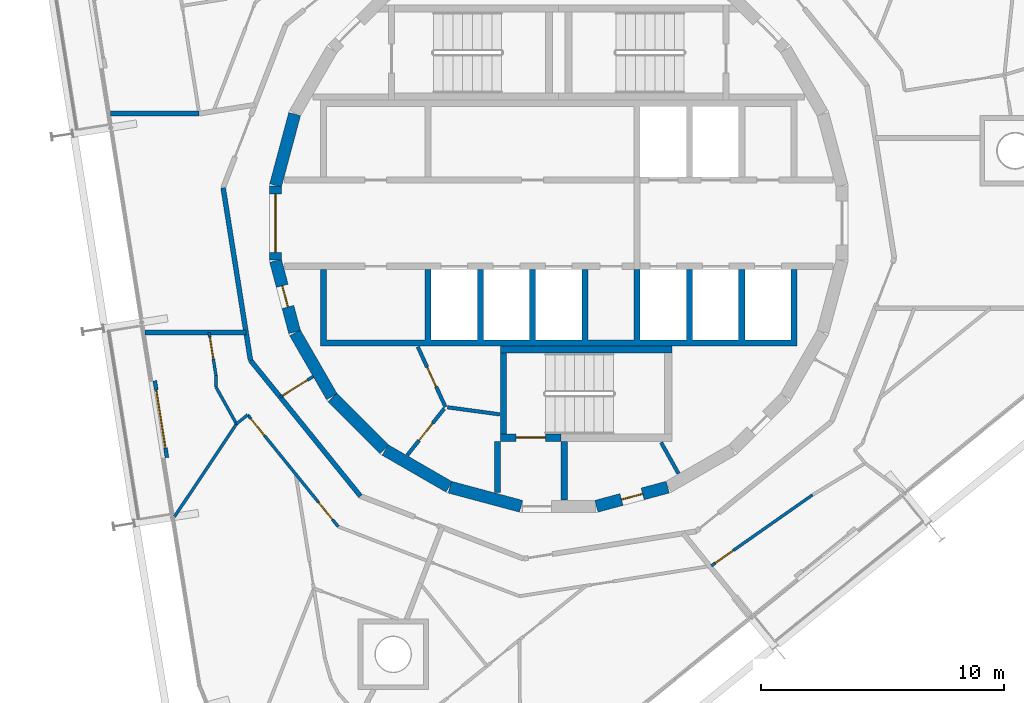
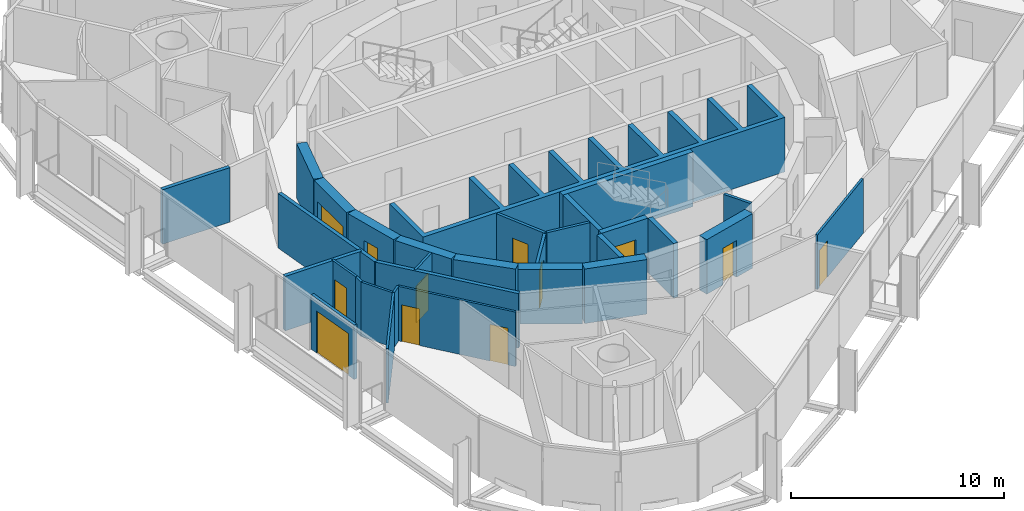
# One storey, part 12 of 18: 31 walls, 12 doors, 12 openings.
"""IFC4 building model written with IfcOpenShell, lengths in metres."""

import ifcopenshell
import ifcopenshell.guid

model = None  # the IFC model being written
_history = None  # IfcOwnerHistory: only IFC2X3 demands one
_inside = {}  # id of a spatial element -> (the spatial element, [elements in it])
_under = {}  # id of a project, library or spatial element -> (it, [spatial elements below it])
_declared = {}  # id of a project -> (the project, [libraries it declares])
_typed = {}  # id of a type object -> (the type object, [elements of that type])
_made_of = {}  # id of a material, layer set ... -> (it, [elements and type objects made of it])


def new_model(schema):
    """Start an empty IFC model of exactly this schema.

    Asked for "IFC4X3", IfcOpenShell would pick the latest addendum, in which some entities
    have other attributes; the version numbers below select the first issue.
    IFC2X3 requires an IfcOwnerHistory on every rooted entity: one is made here for all.
    """
    global model, _history
    if schema == "IFC4X3":
        model = ifcopenshell.file(schema_version=(4, 3, 0, 0))
    else:
        model = ifcopenshell.file(schema=schema)
    _inside.clear()
    _under.clear()
    _declared.clear()
    _typed.clear()
    _made_of.clear()
    _history = None
    if model.schema == "IFC2X3":
        org = make("IfcOrganization", Name="unknown")
        user = make(
            "IfcPersonAndOrganization",
            ThePerson=make("IfcPerson", FamilyName="unknown"),
            TheOrganization=org,
        )
        app = make(
            "IfcApplication",
            ApplicationDeveloper=org,
            Version="unknown",
            ApplicationFullName="unknown",
            ApplicationIdentifier="unknown",
        )
        _history = make(
            "IfcOwnerHistory",
            OwningUser=user,
            OwningApplication=app,
            ChangeAction="ADDED",
            CreationDate=0,
        )
    return model


def make(cls, **values):
    """One entity of the class cls with the attributes given. An attribute that is None is left unset."""
    return model.create_entity(
        cls, **{name: value for name, value in values.items() if value is not None}
    )


def rooted(cls, **values):
    """An entity with a GlobalId (a new one), such as an element, a storey or a relation."""
    return make(cls, GlobalId=ifcopenshell.guid.new(), OwnerHistory=_history, **values)


def si_unit(unit_type, name, prefix=None):
    """IfcSIUnit, for example si_unit("LENGTHUNIT", "METRE", prefix="MILLI")."""
    return make("IfcSIUnit", UnitType=unit_type, Prefix=prefix, Name=name)


def assignment(units):
    """IfcUnitAssignment: the units of a project."""
    return None if units is None else make("IfcUnitAssignment", Units=units)


def point(xyz):
    """IfcCartesianPoint."""
    return None if xyz is None else make("IfcCartesianPoint", Coordinates=xyz)


def direction(xyz):
    """IfcDirection."""
    return None if xyz is None else make("IfcDirection", DirectionRatios=xyz)


def frame(location, z_axis=None, x_axis=None):
    """IfcAxis2Placement3D, a coordinate frame: its origin and axes. An axis left out is left unset."""
    return make(
        "IfcAxis2Placement3D",
        Location=point(location),
        Axis=direction(z_axis),
        RefDirection=direction(x_axis),
    )


def frame_2d(location, x_axis=None):
    """IfcAxis2Placement2D, a coordinate frame in the plane: its origin and x axis."""
    return make(
        "IfcAxis2Placement2D", Location=point(location), RefDirection=direction(x_axis)
    )


def origin():
    """The frame at (0, 0, 0) with its axes left unset."""
    return frame((0.0, 0.0, 0.0))


def place(relative_to, where):
    """IfcLocalPlacement: puts the frame where relative to a parent placement (None: the world)."""
    return make(
        "IfcLocalPlacement", PlacementRelTo=relative_to, RelativePlacement=where
    )


def context(
    kind, dimensions, precision=None, world=None, true_north=None, identifier=None
):
    """IfcGeometricRepresentationContext, for example the 3D "Model" context."""
    return make(
        "IfcGeometricRepresentationContext",
        ContextIdentifier=identifier,
        ContextType=kind,
        CoordinateSpaceDimension=dimensions,
        Precision=precision,
        WorldCoordinateSystem=world,
        TrueNorth=true_north,
    )


def subcontext(parent, identifier, kind, view, scale=None):
    """IfcGeometricRepresentationSubContext, for example "Body" below "Model"."""
    return make(
        "IfcGeometricRepresentationSubContext",
        ContextIdentifier=identifier,
        ContextType=kind,
        ParentContext=parent,
        TargetScale=scale,
        TargetView=view,
    )


def project(units=None, contexts=None):
    """IfcProject with its units and contexts."""
    return rooted(
        "IfcProject",
        Name="project",
        RepresentationContexts=contexts,
        UnitsInContext=assignment(units),
    )


def spatial(cls, under=None, at=None, **own):
    """A site, building, storey or space (cls), placed at a placement, below another one or the project."""
    s = rooted(cls, ObjectPlacement=at, **own)
    if under is not None:
        _under.setdefault(under.id(), (under, []))[1].append(s)
    return s


def polyline(points):
    """IfcPolyline through the points."""
    return make("IfcPolyline", Points=[point(p) for p in points])


def profile(cls, at=None, kind="AREA", **sizes):
    """A parametric profile (cls). Its sizes go by their IFC names, for example OverallWidth=200.0."""
    return make(cls, ProfileType=kind, Position=at, **sizes)


def rectangle(**sizes):
    """IfcRectangleProfileDef."""
    return profile("IfcRectangleProfileDef", **sizes)


def outline(outer, holes=None, kind="AREA"):
    """IfcArbitraryClosedProfileDef: a profile drawn as a closed curve; with holes, ...WithVoids."""
    if holes is None:
        return make("IfcArbitraryClosedProfileDef", ProfileType=kind, OuterCurve=outer)
    return make(
        "IfcArbitraryProfileDefWithVoids",
        ProfileType=kind,
        OuterCurve=outer,
        InnerCurves=holes,
    )


def extrude(swept, where, along, depth):
    """IfcExtrudedAreaSolid: the profile swept, set in the frame where, extruded along a direction by depth."""
    return make(
        "IfcExtrudedAreaSolid",
        SweptArea=swept,
        Position=where,
        ExtrudedDirection=direction(along),
        Depth=depth,
    )


def shape(context_of_items, identifier, shape_type, items):
    """IfcShapeRepresentation: the items that make up one representation, for example the "Body"."""
    return make(
        "IfcShapeRepresentation",
        ContextOfItems=context_of_items,
        RepresentationIdentifier=identifier,
        RepresentationType=shape_type,
        Items=items,
    )


def material(Name=None, Category=None):
    """IfcMaterial."""
    return make("IfcMaterial", Name=Name, Category=Category)


def layer(
    of_material, thickness, ventilated=None, Name=None, Category=None, Priority=None
):
    """IfcMaterialLayer: one layer of a wall or slab, of a material (None: an air gap)."""
    return make(
        "IfcMaterialLayer",
        Material=of_material,
        LayerThickness=thickness,
        IsVentilated=ventilated,
        Name=Name,
        Category=Category,
        Priority=Priority,
    )


def layer_set(layers, Name=None):
    """IfcMaterialLayerSet."""
    return make("IfcMaterialLayerSet", MaterialLayers=layers, LayerSetName=Name)


def made_of(thing, what):
    """Note that an element or type object is made of a material, layer set ...; save() writes the relation."""
    if what is not None:
        _made_of.setdefault(what.id(), (what, []))[1].append(thing)
    return thing


def type_object(cls, material=None, **own):
    """A type object (cls), such as IfcWallType, which elements share."""
    return made_of(rooted(cls, **own), material)


def element(
    cls,
    number,
    at=None,
    inside=None,
    cuts=None,
    type_object=None,
    material=None,
    context=None,
    identifier="Body",
    shape_type=None,
    held_by="IfcProductDefinitionShape",
    body=None,
    shapes=None,
    **own,
):
    """One element of the class cls, such as IfcWall. Its Tag is "e" and its number.

    at: its placement. inside: the storey or other place that contains it. cuts: it is an
    opening in that element (IfcRelVoidsElement). A single representation is given by context,
    identifier, shape_type and body (its items); several are given by shapes. held_by: the class
    of the entity that holds the representations. save() writes the other relations.
    """
    e = rooted(cls, Tag="e%d" % number, ObjectPlacement=at, **own)
    if body is not None:
        shapes = [shape(context, identifier, shape_type, body)]
    if shapes is not None:
        e.Representation = make(held_by, Representations=shapes)
    if inside is not None:
        _inside.setdefault(inside.id(), (inside, []))[1].append(e)
    if cuts is not None:
        rooted(
            "IfcRelVoidsElement", RelatingBuildingElement=cuts, RelatedOpeningElement=e
        )
    if type_object is not None:
        _typed.setdefault(type_object.id(), (type_object, []))[1].append(e)
    return made_of(e, material)


def fill(opening, filler):
    """IfcRelFillsElement: the door or window that sits in an opening."""
    return rooted(
        "IfcRelFillsElement",
        RelatingOpeningElement=opening,
        RelatedBuildingElement=filler,
    )


def aggregate(whole, parts):
    """IfcRelAggregates: a whole, such as a stair, and the parts it consists of."""
    return rooted("IfcRelAggregates", RelatingObject=whole, RelatedObjects=parts)


def save(model, path):
    """Write the relations noted so far, then the file.

    IfcRelAggregates (storeys below a building ...), IfcRelContainedInSpatialStructure (elements
    in a storey), IfcRelDefinesByType, IfcRelAssociatesMaterial and IfcRelDeclares: one each for
    every whole, place, type object, material and project.
    """
    for whole, parts in _under.values():
        aggregate(whole, parts)
    for where, things in _inside.values():
        rooted(
            "IfcRelContainedInSpatialStructure",
            RelatedElements=things,
            RelatingStructure=where,
        )
    for kind, things in _typed.values():
        rooted("IfcRelDefinesByType", RelatedObjects=things, RelatingType=kind)
    for what, things in _made_of.values():
        rooted("IfcRelAssociatesMaterial", RelatedObjects=things, RelatingMaterial=what)
    for by, libraries in _declared.values():
        rooted("IfcRelDeclares", RelatingContext=by, RelatedDefinitions=libraries)
    model.write(path)


model = new_model("IFC4")

# Units and contexts
model_context = context("Model", 3, precision=1e-05, world=origin(), true_north=direction((0.0, 1.0)))
body_context = subcontext(model_context, "Body", "Model", "MODEL_VIEW")
ifc_project = project(units=[si_unit("LENGTHUNIT", "METRE"), si_unit("AREAUNIT", "SQUARE_METRE"), si_unit("VOLUMEUNIT", "CUBIC_METRE"), si_unit("PLANEANGLEUNIT", "RADIAN"), si_unit("MASSUNIT", "GRAM", prefix="KILO")], contexts=[model_context])

# Site, building, storey
site_placement = place(None, origin())
site = spatial("IfcSite", under=ifc_project, at=site_placement, CompositionType="ELEMENT")
building_placement = place(site_placement, origin())
building = spatial("IfcBuilding", under=site, at=building_placement, Name="Spindle Arch Residences", CompositionType="ELEMENT")
storey_placement = place(building_placement, frame((0.0, 0.0, 273.89990234375)))
storey = spatial("IfcBuildingStorey", under=building, at=storey_placement, Name="L70", CompositionType="ELEMENT", Elevation=273.89990234375)

# Wall, opening, door
ifc_material_1 = material(Name="Concrete C50/60", Category="concrete")
ifc_layer_1 = layer(ifc_material_1, 0.5)
ifc_layer_set_1 = layer_set([ifc_layer_1], Name="Core outline wall 500")
wall_type_1 = type_object("IfcWallType", Name="Core outline wall 500", PredefinedType="SHEAR", material=ifc_layer_set_1)
wall_1_placement = place(storey_placement, frame((1.5498046875, -11.642822265625, 0.0), z_axis=(0.0, 0.0, 1.0), x_axis=(0.965948410781, 0.258734743916, 0.0)))
wall_1 = element("IfcWall", 1, at=wall_1_placement, inside=storey, type_object=wall_type_1, Name="Core outline wall 1", PredefinedType="SHEAR", context=body_context, shape_type="SweptSolid", body=[
    extrude(rectangle(XDim=3.03271484375, YDim=0.5, at=frame_2d((1.516357421875, 0.0))), origin(), (0.0, 0.0, 1.0), 3.1201171875),
])
opening_1_placement = place(wall_1_placement, frame((1.06640625, 0.0, 0.0)))
opening_1 = element("IfcOpeningElement", 2, at=opening_1_placement, cuts=wall_1, Name="Opening R7B1-WD09", PredefinedType="OPENING", context=body_context, shape_type="SweptSolid", body=[
    extrude(rectangle(XDim=0.89990234375, YDim=2.10009765625, at=frame_2d((0.449951171875, 1.050048828125))), frame((0.0, 0.260009765625, 0.0), z_axis=(0.0, -1.0, 0.0), x_axis=(1.0, 0.0, 0.0)), (0.0, 0.0, 1.0), 0.52001953125),
])
ifc_material_2 = material(Name="Steel, fire-resisting door", Category="steel")
door_type_1 = type_object("IfcDoorType", Name="Service room door 900x2100", OperationType="SINGLE_SWING_LEFT", PredefinedType="DOOR", material=ifc_material_2)
door_1_placement = place(opening_1_placement, origin())
door_1 = element("IfcDoor", 3, at=door_1_placement, inside=storey, type_object=door_type_1, Name="Service room door R7B1-WD09", OperationType="SINGLE_SWING_LEFT", OverallHeight=2.10009765625, OverallWidth=0.89990234375, PredefinedType="DOOR", context=body_context, shape_type="SweptSolid", body=[
    extrude(rectangle(XDim=0.89990234375, YDim=2.10009765625, at=frame_2d((0.449951171875, 1.050048828125))), frame((0.0, 0.02490234375, 0.0), z_axis=(0.0, -1.0, 0.0), x_axis=(1.0, 0.0, 0.0)), (0.0, 0.0, 1.0), 0.050048828125),
])
fill(opening_1, door_1)

# Wall
wall_2_placement = place(storey_placement, frame((-10.858154296875, 4.479248046875, 0.0), z_axis=(0.0, 0.0, 1.0), x_axis=(-0.258734743916, -0.965948410781, 0.0)))
element("IfcWall", 4, at=wall_2_placement, inside=storey, type_object=wall_type_1, Name="Core outline wall 17", PredefinedType="SHEAR", context=body_context, shape_type="SweptSolid", body=[
    extrude(rectangle(XDim=3.03271484375, YDim=0.5, at=frame_2d((1.516357421875, 0.0))), origin(), (0.0, 0.0, 1.0), 3.1201171875),
])

# Wall, opening, door
wall_3_placement = place(storey_placement, frame((-11.647216796875, 1.516357421875, 0.0), z_axis=(0.0, 0.0, 1.0), x_axis=(0.0, -1.0, 0.0)))
wall_3 = element("IfcWall", 5, at=wall_3_placement, inside=storey, type_object=wall_type_1, Name="Core outline wall 18", PredefinedType="SHEAR", context=body_context, shape_type="SweptSolid", body=[
    extrude(rectangle(XDim=3.03271484375, YDim=0.5, at=frame_2d((1.516357421875, 0.0))), origin(), (0.0, 0.0, 1.0), 3.1201171875),
])
opening_2_placement = place(wall_3_placement, frame((0.31640625, 0.0, 0.0)))
opening_2 = element("IfcOpeningElement", 6, at=opening_2_placement, cuts=wall_3, Name="Opening R7B1-LE01", PredefinedType="OPENING", context=body_context, shape_type="SweptSolid", body=[
    extrude(rectangle(XDim=2.39990234375, YDim=2.10009765625, at=frame_2d((1.199951171875, 1.050048828125))), frame((0.0, 0.260009765625, 0.0), z_axis=(0.0, -1.0, 0.0), x_axis=(1.0, 0.0, 0.0)), (0.0, 0.0, 1.0), 0.52001953125),
])
ifc_material_3 = material(Name="Steel, fire-resisting door", Category="steel")
door_type_2 = type_object("IfcDoorType", Name="Lift lobby entrance door 2400x2100", OperationType="DOUBLE_DOOR_SINGLE_SWING", PredefinedType="DOOR", material=ifc_material_3)
door_2_placement = place(opening_2_placement, origin())
door_2 = element("IfcDoor", 7, at=door_2_placement, inside=storey, type_object=door_type_2, Name="Lift lobby entrance door R7B1-LE01", OperationType="DOUBLE_DOOR_SINGLE_SWING", OverallHeight=2.10009765625, OverallWidth=2.39990234375, PredefinedType="DOOR", context=body_context, shape_type="SweptSolid", body=[
    extrude(rectangle(XDim=2.39990234375, YDim=2.10009765625, at=frame_2d((1.199951171875, 1.050048828125))), frame((0.0, 0.02490234375, 0.0), z_axis=(0.0, -1.0, 0.0), x_axis=(1.0, 0.0, 0.0)), (0.0, 0.0, 1.0), 0.050048828125),
])
fill(opening_2, door_2)

wall_4_placement = place(storey_placement, frame((-11.642822265625, -1.5498046875, 0.0), z_axis=(0.0, 0.0, 1.0), x_axis=(0.258734743916, -0.965948410781, 0.0)))
wall_4 = element("IfcWall", 8, at=wall_4_placement, inside=storey, type_object=wall_type_1, Name="Core outline wall 19", PredefinedType="SHEAR", context=body_context, shape_type="SweptSolid", body=[
    extrude(rectangle(XDim=3.03271484375, YDim=0.5, at=frame_2d((1.516357421875, 0.0))), origin(), (0.0, 0.0, 1.0), 3.1201171875),
])
opening_3_placement = place(wall_4_placement, frame((1.06640625, 0.0, 0.0)))
opening_3 = element("IfcOpeningElement", 9, at=opening_3_placement, cuts=wall_4, Name="Opening R7B1-WD10", PredefinedType="OPENING", context=body_context, shape_type="SweptSolid", body=[
    extrude(rectangle(XDim=0.89990234375, YDim=2.10009765625, at=frame_2d((0.449951171875, 1.050048828125))), frame((0.0, 0.260009765625, 0.0), z_axis=(0.0, -1.0, 0.0), x_axis=(1.0, 0.0, 0.0)), (0.0, 0.0, 1.0), 0.52001953125),
])
door_3_placement = place(opening_3_placement, origin())
door_3 = element("IfcDoor", 10, at=door_3_placement, inside=storey, type_object=door_type_1, Name="Service room door R7B1-WD10", OperationType="SINGLE_SWING_RIGHT", OverallHeight=2.10009765625, OverallWidth=0.89990234375, PredefinedType="DOOR", context=body_context, shape_type="SweptSolid", body=[
    extrude(rectangle(XDim=0.89990234375, YDim=2.10009765625, at=frame_2d((0.449951171875, 1.050048828125))), frame((0.0, 0.02490234375, 0.0), z_axis=(0.0, -1.0, 0.0), x_axis=(1.0, 0.0, 0.0)), (0.0, 0.0, 1.0), 0.050048828125),
])
fill(opening_3, door_3)

# Walls
wall_5_placement = place(storey_placement, frame((-10.84521484375, -4.510498046875, 0.0), z_axis=(0.0, 0.0, 1.0), x_axis=(0.500087131594, -0.865975092491, 0.0)))
element("IfcWall", 11, at=wall_5_placement, inside=storey, type_object=wall_type_1, Name="Core outline wall 20", PredefinedType="SHEAR", context=body_context, shape_type="SweptSolid", body=[
    extrude(rectangle(XDim=3.03271484375, YDim=0.5, at=frame_2d((1.516357421875, 0.0))), origin(), (0.0, 0.0, 1.0), 3.1201171875),
])
wall_6_placement = place(storey_placement, frame((-9.30810546875, -7.163818359375, 0.0), z_axis=(0.0, 0.0, 1.0), x_axis=(0.707106781187, -0.707106781187, 0.0)))
element("IfcWall", 12, at=wall_6_placement, inside=storey, type_object=wall_type_1, Name="Core outline wall 21", PredefinedType="SHEAR", context=body_context, shape_type="SweptSolid", body=[
    extrude(rectangle(XDim=3.032470703125, YDim=0.5, at=frame_2d((1.51611328125, 0.0))), origin(), (0.0, 0.0, 1.0), 3.1201171875),
])
for number, where, z_axis, x_axis, name in (
    (13, (-7.13671875, -9.32861328125, 0.0), (0.0, 0.0, 1.0), (0.865975092491, -0.500087131594, 0.0), "Core outline wall 22"),
    (14, (-4.479248046875, -10.858154296875, 0.0), (0.0, 0.0, 1.0), (0.965948410781, -0.258734743916, 0.0), "Core outline wall 23"),
):
    element("IfcWall", number, at=place(storey_placement, frame(where, z_axis=z_axis, x_axis=x_axis)), inside=storey, type_object=wall_type_1, Name=name, PredefinedType="SHEAR", context=body_context, shape_type="SweptSolid", body=[
        extrude(rectangle(XDim=3.03271484375, YDim=0.5, at=frame_2d((1.516357421875, 0.0))), origin(), (0.0, 0.0, 1.0), 3.1201171875),
    ])

# Wall, opening, door
ifc_material_4 = material(Name="Plasterboard on steel studs", Category="steel")
ifc_layer_2 = layer(ifc_material_4, 0.1201171875)
ifc_layer_set_2 = layer_set([ifc_layer_2], Name="Corridor division wall 120")
wall_type_2 = type_object("IfcWallType", Name="Corridor division wall 120", PredefinedType="PARTITIONING", material=ifc_layer_set_2)
wall_7_placement = place(storey_placement, frame((-11.44921875, -7.154296875, 0.0), z_axis=(0.0, 0.0, 1.0), x_axis=(0.848067047543, 0.529888934468, 0.0)))
wall_7 = element("IfcWall", 15, at=wall_7_placement, inside=storey, type_object=wall_type_2, Name="Corridor division wall R7B1-W003", PredefinedType="PARTITIONING", context=body_context, shape_type="SweptSolid", body=[
    extrude(rectangle(XDim=1.595947265625, YDim=0.1201171875, at=frame_2d((0.7978515625, 0.0))), origin(), (0.0, 0.0, 1.0), 3.1201171875),
])
opening_4_placement = place(wall_7_placement, frame((0.1201171875, 0.0, 0.0)))
opening_4 = element("IfcOpeningElement", 16, at=opening_4_placement, cuts=wall_7, Name="Opening R7B1-CD03", PredefinedType="OPENING", context=body_context, shape_type="SweptSolid", body=[
    extrude(rectangle(XDim=1.199951171875, YDim=2.10009765625, at=frame_2d((0.60009765625, 1.050048828125))), frame((0.0, 0.070068359375, 0.0), z_axis=(0.0, -1.0, 0.0), x_axis=(1.0, 0.0, 0.0)), (0.0, 0.0, 1.0), 0.14013671875),
])
ifc_material_5 = material(Name="Steel, fire-resisting door", Category="steel")
door_type_3 = type_object("IfcDoorType", Name="Corridor division door 1200x2100", OperationType="NOTDEFINED", PredefinedType="DOOR", material=ifc_material_5)
door_4_placement = place(opening_4_placement, origin())
door_4 = element("IfcDoor", 17, at=door_4_placement, inside=storey, type_object=door_type_3, Name="Corridor division door R7B1-CD03", OperationType="DOUBLE_DOOR_SINGLE_SWING", OverallHeight=2.10009765625, OverallWidth=1.199951171875, PredefinedType="DOOR", context=body_context, shape_type="SweptSolid", body=[
    extrude(rectangle(XDim=1.199951171875, YDim=2.10009765625, at=frame_2d((0.60009765625, 1.050048828125))), frame((0.0, 0.02490234375, 0.0), z_axis=(0.0, -1.0, 0.0), x_axis=(1.0, 0.0, 0.0)), (0.0, 0.0, 1.0), 0.050048828125),
])
fill(opening_4, door_4)

# Wall
ifc_material_6 = material(Name="Calcium silicate block, plastered")
ifc_layer_3 = layer(ifc_material_6, 0.199951171875)
ifc_layer_set_3 = layer_set([ifc_layer_3], Name="Corridor wall 200")
wall_type_3 = type_object("IfcWallType", Name="Corridor wall 200", PredefinedType="STANDARD", material=ifc_layer_set_3)
wall_8_placement = place(storey_placement, frame((-12.67333984375, -5.642578125, 0.0), z_axis=(0.0, 0.0, 1.0), x_axis=(0.629302871585, -0.777160148113, 0.0)))
element("IfcWall", 18, at=wall_8_placement, inside=storey, type_object=wall_type_3, Name="Corridor wall R7B1-W012", PredefinedType="STANDARD", context=body_context, shape_type="SweptSolid", body=[
    extrude(rectangle(XDim=7.180908203125, YDim=0.199951171875, at=frame_2d((3.59033203125, 0.0))), origin(), (0.0, 0.0, 1.0), 3.1201171875),
])

# Wall, opening, door
ifc_material_7 = material(Name="Plasterboard on steel studs", Category="steel")
ifc_layer_4 = layer(ifc_material_7, 0.1201171875)
ifc_layer_set_4 = layer_set([ifc_layer_4], Name="Flat partition 120")
wall_type_4 = type_object("IfcWallType", Name="Flat partition 120", PredefinedType="PARTITIONING", material=ifc_layer_set_4)
wall_9_placement = place(storey_placement, frame((-14.373046875, -4.5, 0.0), z_axis=(0.0, 0.0, 1.0), x_axis=(0.156437152886, -0.987687914878, 0.0)))
wall_9 = element("IfcWall", 19, at=wall_9_placement, inside=storey, type_object=wall_type_4, Name="Flat partition R7B1-W068", PredefinedType="PARTITIONING", context=body_context, shape_type="SweptSolid", body=[
    extrude(rectangle(XDim=1.79638671875, YDim=0.1201171875, at=frame_2d((0.898193359375, 0.0))), origin(), (0.0, 0.0, 1.0), 3.1201171875),
])
opening_5_placement = place(wall_9_placement, frame((0.199951171875, 0.0, 0.0)))
opening_5 = element("IfcOpeningElement", 20, at=opening_5_placement, cuts=wall_9, Name="Opening R7B1-ID15", PredefinedType="OPENING", context=body_context, shape_type="SweptSolid", body=[
    extrude(rectangle(XDim=0.89990234375, YDim=2.10009765625, at=frame_2d((0.449951171875, 1.050048828125))), frame((0.0, 0.070068359375, 0.0), z_axis=(0.0, -1.0, 0.0), x_axis=(1.0, 0.0, 0.0)), (0.0, 0.0, 1.0), 0.14013671875),
])
ifc_material_8 = material(Name="Timber door set", Category="wood")
door_type_4 = type_object("IfcDoorType", Name="Room door 900x2100", OperationType="NOTDEFINED", PredefinedType="DOOR", material=ifc_material_8)
door_5_placement = place(opening_5_placement, origin())
door_5 = element("IfcDoor", 21, at=door_5_placement, inside=storey, type_object=door_type_4, Name="Room door R7B1-ID15", OperationType="SINGLE_SWING_RIGHT", OverallHeight=2.10009765625, OverallWidth=0.89990234375, PredefinedType="DOOR", context=body_context, shape_type="SweptSolid", body=[
    extrude(rectangle(XDim=0.89990234375, YDim=2.10009765625, at=frame_2d((0.449951171875, 1.050048828125))), frame((0.0, 0.02490234375, 0.0), z_axis=(0.0, -1.0, 0.0), x_axis=(1.0, 0.0, 0.0)), (0.0, 0.0, 1.0), 0.050048828125),
])
fill(opening_5, door_5)

# Walls
wall_10_placement = place(storey_placement, frame((-14.092041015625, -6.274169921875, 0.0), z_axis=(0.0, 0.0, 1.0), x_axis=(0.008221715939, -0.999966201122, 0.0)))
element("IfcWall", 22, at=wall_10_placement, inside=storey, type_object=wall_type_4, Name="Flat partition R7B1-W069", PredefinedType="PARTITIONING", context=body_context, shape_type="SweptSolid", body=[
    extrude(rectangle(XDim=0.47509765625, YDim=0.1201171875, at=frame_2d((0.237548828125, 0.0))), origin(), (0.0, 0.0, 1.0), 3.1201171875),
])
wall_11_placement = place(storey_placement, frame((-14.088134765625, -6.749267578125, 0.0), z_axis=(0.0, 0.0, 1.0), x_axis=(0.486723752783, -0.873555944675, 0.0)))
element("IfcWall", 23, at=wall_11_placement, inside=storey, type_object=wall_type_4, Name="Flat partition R7B1-W070", PredefinedType="PARTITIONING", context=body_context, shape_type="SweptSolid", body=[
    extrude(rectangle(XDim=1.7255859375, YDim=0.1201171875, at=frame_2d((0.86279296875, 0.0))), origin(), (0.0, 0.0, 1.0), 3.1201171875),
])
wall_12_placement = place(storey_placement, frame((-13.248291015625, -8.256591796875, 0.0), z_axis=(0.0, 0.0, 1.0), x_axis=(0.777071947771, 0.629411779352, 0.0)))
element("IfcWall", 24, at=wall_12_placement, inside=storey, type_object=wall_type_4, Name="Flat partition R7B1-W071", PredefinedType="PARTITIONING", context=body_context, shape_type="SweptSolid", body=[
    extrude(rectangle(XDim=0.591796875, YDim=0.1201171875, at=frame_2d((0.2958984375, 0.0))), origin(), (0.0, 0.0, 1.0), 3.1201171875),
])

# Wall, openings, doors
wall_13_placement = place(storey_placement, frame((-12.788330078125, -7.884033203125, 0.0), z_axis=(0.0, 0.0, 1.0), x_axis=(0.6293312414, -0.777137174891, 0.0)))
wall_13 = element("IfcWall", 25, at=wall_13_placement, inside=storey, type_object=wall_type_4, Name="Flat partition R7B1-W072", PredefinedType="PARTITIONING", context=body_context, shape_type="SweptSolid", body=[
    extrude(rectangle(XDim=5.913330078125, YDim=0.1201171875, at=frame_2d((2.95654296875, 0.0))), origin(), (0.0, 0.0, 1.0), 3.1201171875),
])
opening_6_placement = place(wall_13_placement, frame((0.199951171875, 0.0, 0.0)))
opening_6 = element("IfcOpeningElement", 26, at=opening_6_placement, cuts=wall_13, Name="Opening R7B1-ID16", PredefinedType="OPENING", context=body_context, shape_type="SweptSolid", body=[
    extrude(rectangle(XDim=0.89990234375, YDim=2.10009765625, at=frame_2d((0.449951171875, 1.050048828125))), frame((0.0, 0.070068359375, 0.0), z_axis=(0.0, -1.0, 0.0), x_axis=(1.0, 0.0, 0.0)), (0.0, 0.0, 1.0), 0.14013671875),
])
opening_7_placement = place(wall_13_placement, frame((4.63525390625, 0.0, 0.0)))
opening_7 = element("IfcOpeningElement", 27, at=opening_7_placement, cuts=wall_13, Name="Opening R7B1-ID17", PredefinedType="OPENING", context=body_context, shape_type="SweptSolid", body=[
    extrude(rectangle(XDim=0.89990234375, YDim=2.10009765625, at=frame_2d((0.449951171875, 1.050048828125))), frame((0.0, 0.070068359375, 0.0), z_axis=(0.0, -1.0, 0.0), x_axis=(1.0, 0.0, 0.0)), (0.0, 0.0, 1.0), 0.14013671875),
])
door_6_placement = place(opening_6_placement, origin())
door_6 = element("IfcDoor", 28, at=door_6_placement, inside=storey, type_object=door_type_4, Name="Room door R7B1-ID16", OperationType="SINGLE_SWING_RIGHT", OverallHeight=2.10009765625, OverallWidth=0.89990234375, PredefinedType="DOOR", context=body_context, shape_type="SweptSolid", body=[
    extrude(rectangle(XDim=0.89990234375, YDim=2.10009765625, at=frame_2d((0.449951171875, 1.050048828125))), frame((0.0, 0.02490234375, 0.0), z_axis=(0.0, -1.0, 0.0), x_axis=(1.0, 0.0, 0.0)), (0.0, 0.0, 1.0), 0.050048828125),
])
fill(opening_6, door_6)
door_7_placement = place(opening_7_placement, origin())
door_7 = element("IfcDoor", 29, at=door_7_placement, inside=storey, type_object=door_type_4, Name="Room door R7B1-ID17", OperationType="SINGLE_SWING_RIGHT", OverallHeight=2.10009765625, OverallWidth=0.89990234375, PredefinedType="DOOR", context=body_context, shape_type="SweptSolid", body=[
    extrude(rectangle(XDim=0.89990234375, YDim=2.10009765625, at=frame_2d((0.449951171875, 1.050048828125))), frame((0.0, 0.02490234375, 0.0), z_axis=(0.0, -1.0, 0.0), x_axis=(1.0, 0.0, 0.0)), (0.0, 0.0, 1.0), 0.050048828125),
])
fill(opening_7, door_7)

# Wall
wall_14_placement = place(storey_placement, frame((-15.801513671875, -12.07958984375, 0.0), z_axis=(0.0, 0.0, 1.0), x_axis=(0.555386305099, 0.831592479589, 0.0)))
element("IfcWall", 30, at=wall_14_placement, inside=storey, type_object=wall_type_4, Name="Flat partition R7B1-W074", PredefinedType="PARTITIONING", context=body_context, shape_type="SweptSolid", body=[
    extrude(rectangle(XDim=4.59716796875, YDim=0.1201171875, at=frame_2d((2.298583984375, 0.0))), origin(), (0.0, 0.0, 1.0), 3.1201171875),
])

# Wall, opening, door
wall_15_placement = place(storey_placement, frame((6.274169921875, -14.092041015625, 0.0), z_axis=(0.0, 0.0, 1.0), x_axis=(0.818755256003, 0.574142691992, 0.0)))
wall_15 = element("IfcWall", 31, at=wall_15_placement, inside=storey, type_object=wall_type_4, Name="Flat partition R7B1-W092", PredefinedType="PARTITIONING", context=body_context, shape_type="SweptSolid", body=[
    extrude(rectangle(XDim=5.080078125, YDim=0.1201171875, at=frame_2d((2.5400390625, 0.0))), origin(), (0.0, 0.0, 1.0), 3.1201171875),
])
opening_8_placement = place(wall_15_placement, frame((0.199951171875, 0.0, 0.0)))
opening_8 = element("IfcOpeningElement", 32, at=opening_8_placement, cuts=wall_15, Name="Opening R7B1-ID25", PredefinedType="OPENING", context=body_context, shape_type="SweptSolid", body=[
    extrude(rectangle(XDim=0.89990234375, YDim=2.10009765625, at=frame_2d((0.449951171875, 1.050048828125))), frame((0.0, 0.070068359375, 0.0), z_axis=(0.0, -1.0, 0.0), x_axis=(1.0, 0.0, 0.0)), (0.0, 0.0, 1.0), 0.14013671875),
])
door_8_placement = place(opening_8_placement, origin())
door_8 = element("IfcDoor", 33, at=door_8_placement, inside=storey, type_object=door_type_4, Name="Room door R7B1-ID25", OperationType="SINGLE_SWING_LEFT", OverallHeight=2.10009765625, OverallWidth=0.89990234375, PredefinedType="DOOR", context=body_context, shape_type="SweptSolid", body=[
    extrude(rectangle(XDim=0.89990234375, YDim=2.10009765625, at=frame_2d((0.449951171875, 1.050048828125))), frame((0.0, 0.02490234375, 0.0), z_axis=(0.0, -1.0, 0.0), x_axis=(1.0, 0.0, 0.0)), (0.0, 0.0, 1.0), 0.050048828125),
])
fill(opening_8, door_8)

ifc_material_9 = material(Name="Non-combustible mineral wool insulated aluminium faced external wall (K0)", Category="aluminium")
ifc_layer_5 = layer(ifc_material_9, 0.159912109375)
ifc_layer_set_5 = layer_set([ifc_layer_5], Name="Insulated external wall panel 160")
wall_type_5 = type_object("IfcWallType", Name="Insulated external wall panel 160", PredefinedType="STANDARD", material=ifc_layer_set_5)
wall_16_placement = place(storey_placement, frame((-16.60693359375, -6.482666015625, 0.0), z_axis=(0.0, 0.0, 1.0), x_axis=(0.156401347891, -0.987693585267, 0.0)))
wall_16 = element("IfcWall", 34, at=wall_16_placement, inside=storey, type_object=wall_type_5, Name="External wall L70 bay 14", PredefinedType="STANDARD", context=body_context, shape_type="SweptSolid", body=[
    extrude(rectangle(XDim=3.199951171875, YDim=0.159912109375, at=frame_2d((1.60009765625, 0.0))), origin(), (0.0, 0.0, 1.0), 3.1201171875),
])
opening_9_placement = place(wall_16_placement, frame((0.39990234375, 0.0, 0.0)))
opening_9 = element("IfcOpeningElement", 35, at=opening_9_placement, cuts=wall_16, Name="Opening BD14", PredefinedType="OPENING", context=body_context, shape_type="SweptSolid", body=[
    extrude(rectangle(XDim=2.39990234375, YDim=2.39990234375, at=frame_2d((1.199951171875, 1.199951171875))), frame((0.0, 0.08984375, 0.0), z_axis=(0.0, -1.0, 0.0), x_axis=(1.0, 0.0, 0.0)), (0.0, 0.0, 1.0), 0.179931640625),
])
ifc_material_10 = material(Name="Bronze aluminium frame, tinted double glazing", Category="aluminium")
door_type_5 = type_object("IfcDoorType", Name="Sliding glazed balcony door 2400x2400", OperationType="DOUBLE_DOOR_SLIDING", PredefinedType="DOOR", material=ifc_material_10)
door_9_placement = place(opening_9_placement, origin())
door_9 = element("IfcDoor", 36, at=door_9_placement, inside=storey, type_object=door_type_5, Name="Balcony door BD14", OperationType="DOUBLE_DOOR_SLIDING", OverallHeight=2.39990234375, OverallWidth=2.39990234375, PredefinedType="DOOR", context=body_context, shape_type="SweptSolid", body=[
    extrude(rectangle(XDim=2.39990234375, YDim=2.39990234375, at=frame_2d((1.199951171875, 1.199951171875))), frame((0.0, 0.02490234375, 0.0), z_axis=(0.0, -1.0, 0.0), x_axis=(1.0, 0.0, 0.0)), (0.0, 0.0, 1.0), 0.050048828125),
])
fill(opening_9, door_9)

# Walls
ifc_material_11 = material(Name="Calcium silicate block, plastered")
ifc_layer_6 = layer(ifc_material_11, 0.199951171875)
ifc_layer_set_6 = layer_set([ifc_layer_6], Name="Lift lobby bay wall 200")
wall_type_6 = type_object("IfcWallType", Name="Lift lobby bay wall 200", PredefinedType="STANDARD", material=ifc_layer_set_6)
wall_17_placement = place(storey_placement, frame((-13.796630859375, 1.4501953125, 0.0), z_axis=(0.0, 0.0, 1.0), x_axis=(0.156421704315, -0.987690361611, 0.0)))
element("IfcWall", 37, at=wall_17_placement, inside=storey, type_object=wall_type_6, Name="Lift lobby bay wall R7B1-W010", PredefinedType="STANDARD", context=body_context, shape_type="SweptSolid", body=[
    extrude(rectangle(XDim=7.18115234375, YDim=0.199951171875, at=frame_2d((3.590576171875, 0.0))), origin(), (0.0, 0.0, 1.0), 3.1201171875),
])
wall_18_placement = place(storey_placement, frame((-14.78271484375, 4.5, 0.0), z_axis=(0.0, 0.0, 1.0), x_axis=(-1.0, 0.0, 0.0)))
element("IfcWall", 38, at=wall_18_placement, inside=storey, type_object=wall_type_6, Name="Lift lobby bay wall R7B1-W017", PredefinedType="STANDARD", context=body_context, shape_type="SweptSolid", body=[
    extrude(rectangle(XDim=3.644775390625, YDim=0.199951171875, at=frame_2d((1.822265625, 0.0))), origin(), (0.0, 0.0, 1.0), 3.1201171875),
])
wall_19_placement = place(storey_placement, frame((-17.001953125, -4.5, 0.0), z_axis=(0.0, 0.0, 1.0), x_axis=(1.0, 0.0, 0.0)))
element("IfcWall", 39, at=wall_19_placement, inside=storey, type_object=wall_type_6, Name="Lift lobby bay wall R7B1-W018", PredefinedType="STANDARD", context=body_context, shape_type="SweptSolid", body=[
    extrude(rectangle(XDim=4.147705078125, YDim=0.199951171875, at=frame_2d((2.07373046875, 0.0))), origin(), (0.0, 0.0, 1.0), 3.1201171875),
])
ifc_material_12 = material(Name="Concrete C50/60", Category="concrete")
wall_type_7 = type_object("IfcWallType", Name="Lift shaft wall profile", PredefinedType="SHEAR", material=ifc_material_12)
wall_20_placement = place(storey_placement, origin())
element("IfcWall", 40, at=wall_20_placement, inside=storey, type_object=wall_type_7, Name="Lift shaft walls S", PredefinedType="SHEAR", context=body_context, shape_type="SweptSolid", body=[
    extrude(outline(polyline([(9.800048828125, -5.050048828125), (9.800048828125, -4.800048828125), (9.800048828125, -1.89990234375), (9.550048828125, -1.89990234375), (9.550048828125, -4.800048828125), (7.64990234375, -4.800048828125), (7.64990234375, -1.89990234375), (7.39990234375, -1.89990234375), (7.39990234375, -4.800048828125), (5.5, -4.800048828125), (5.5, -1.89990234375), (5.25, -1.89990234375), (5.25, -4.800048828125), (3.35009765625, -4.800048828125), (3.35009765625, -1.89990234375), (3.10009765625, -1.89990234375), (3.10009765625, -4.800048828125), (1.199951171875, -4.800048828125), (1.199951171875, -1.89990234375), (0.949951171875, -1.89990234375), (0.949951171875, -4.800048828125), (-0.949951171875, -4.800048828125), (-0.949951171875, -1.89990234375), (-1.199951171875, -1.89990234375), (-1.199951171875, -4.800048828125), (-3.10009765625, -4.800048828125), (-3.10009765625, -1.89990234375), (-3.35009765625, -1.89990234375), (-3.35009765625, -4.800048828125), (-5.25, -4.800048828125), (-5.25, -1.89990234375), (-5.5, -1.89990234375), (-5.5, -4.800048828125), (-9.550048828125, -4.800048828125), (-9.550048828125, -1.89990234375), (-9.800048828125, -1.89990234375), (-9.800048828125, -4.800048828125), (-9.800048828125, -5.050048828125), (9.800048828125, -5.050048828125)])), origin(), (0.0, 0.0, 1.0), 3.1201171875),
])
ifc_material_13 = material(Name="Concrete C25/30", Category="concrete")
ifc_layer_7 = layer(ifc_material_13, 0.14990234375)
ifc_layer_set_7 = layer_set([ifc_layer_7], Name="Service room partition 150")
wall_type_8 = type_object("IfcWallType", Name="Service room partition 150", PredefinedType="PARTITIONING", material=ifc_layer_set_7)
wall_21_placement = place(storey_placement, frame((4.922119140625, -10.295654296875, 0.0), z_axis=(0.0, 0.0, 1.0), x_axis=(-0.48860846254, 0.872503163509, 0.0)))
element("IfcWall", 41, at=wall_21_placement, inside=storey, type_object=wall_type_8, Name="Core service room partition", PredefinedType="PARTITIONING", context=body_context, shape_type="SweptSolid", body=[
    extrude(rectangle(XDim=1.45947265625, YDim=0.14990234375, at=frame_2d((0.729736328125, 0.0))), origin(), (0.0, 0.0, 1.0), 3.1201171875),
])

# Wall, opening, door
wall_22_placement = place(storey_placement, frame((-5.794921875, -5.086181640625, 0.0), z_axis=(0.0, 0.0, 1.0), x_axis=(0.417887867606, -0.908498613157, 0.0)))
wall_22 = element("IfcWall", 42, at=wall_22_placement, inside=storey, type_object=wall_type_8, Name="Core service room partition", PredefinedType="PARTITIONING", context=body_context, shape_type="SweptSolid", body=[
    extrude(rectangle(XDim=2.72607421875, YDim=0.14990234375, at=frame_2d((1.363037109375, 0.0))), origin(), (0.0, 0.0, 1.0), 3.1201171875),
])
opening_10_placement = place(wall_22_placement, frame((0.912841796875, 0.0, 0.0)))
opening_10 = element("IfcOpeningElement", 43, at=opening_10_placement, cuts=wall_22, Name="Opening R7B1-WD06", PredefinedType="OPENING", context=body_context, shape_type="SweptSolid", body=[
    extrude(rectangle(XDim=0.89990234375, YDim=2.10009765625, at=frame_2d((0.449951171875, 1.050048828125))), frame((0.0, 0.0849609375, 0.0), z_axis=(0.0, -1.0, 0.0), x_axis=(1.0, 0.0, 0.0)), (0.0, 0.0, 1.0), 0.169921875),
])
door_10_placement = place(opening_10_placement, origin())
door_10 = element("IfcDoor", 44, at=door_10_placement, inside=storey, type_object=door_type_1, Name="Service room door R7B1-WD06", OperationType="SINGLE_SWING_RIGHT", OverallHeight=2.10009765625, OverallWidth=0.89990234375, PredefinedType="DOOR", context=body_context, shape_type="SweptSolid", body=[
    extrude(rectangle(XDim=0.89990234375, YDim=2.10009765625, at=frame_2d((0.449951171875, 1.050048828125))), frame((0.0, 0.02490234375, 0.0), z_axis=(0.0, -1.0, 0.0), x_axis=(1.0, 0.0, 0.0)), (0.0, 0.0, 1.0), 0.050048828125),
])
fill(opening_10, door_10)

wall_23_placement = place(storey_placement, frame((-4.70556640625, -7.62548828125, 0.0), z_axis=(0.0, 0.0, 1.0), x_axis=(-0.621392599334, -0.783499353856, 0.0)))
wall_23 = element("IfcWall", 45, at=wall_23_placement, inside=storey, type_object=wall_type_8, Name="Core service room partition", PredefinedType="PARTITIONING", context=body_context, shape_type="SweptSolid", body=[
    extrude(rectangle(XDim=2.447265625, YDim=0.14990234375, at=frame_2d((1.2236328125, 0.0))), origin(), (0.0, 0.0, 1.0), 3.1201171875),
])
opening_11_placement = place(wall_23_placement, frame((0.773681640625, 0.0, 0.0)))
opening_11 = element("IfcOpeningElement", 46, at=opening_11_placement, cuts=wall_23, Name="Opening R7B1-WD07", PredefinedType="OPENING", context=body_context, shape_type="SweptSolid", body=[
    extrude(rectangle(XDim=0.89990234375, YDim=2.10009765625, at=frame_2d((0.449951171875, 1.050048828125))), frame((0.0, 0.0849609375, 0.0), z_axis=(0.0, -1.0, 0.0), x_axis=(1.0, 0.0, 0.0)), (0.0, 0.0, 1.0), 0.169921875),
])
door_11_placement = place(opening_11_placement, origin())
door_11 = element("IfcDoor", 47, at=door_11_placement, inside=storey, type_object=door_type_1, Name="Service room door R7B1-WD07", OperationType="SINGLE_SWING_LEFT", OverallHeight=2.10009765625, OverallWidth=0.89990234375, PredefinedType="DOOR", context=body_context, shape_type="SweptSolid", body=[
    extrude(rectangle(XDim=0.89990234375, YDim=2.10009765625, at=frame_2d((0.449951171875, 1.050048828125))), frame((0.0, 0.02490234375, 0.0), z_axis=(0.0, -1.0, 0.0), x_axis=(1.0, 0.0, 0.0)), (0.0, 0.0, 1.0), 0.050048828125),
])
fill(opening_11, door_11)

# Walls
wall_24_placement = place(storey_placement, frame((-2.419921875, -7.865234375, 0.0), z_axis=(0.0, 0.0, 1.0), x_axis=(-0.990972299108, 0.134066783362, 0.0)))
element("IfcWall", 48, at=wall_24_placement, inside=storey, type_object=wall_type_8, Name="Core service room partition", PredefinedType="PARTITIONING", context=body_context, shape_type="SweptSolid", body=[
    extrude(rectangle(XDim=2.176025390625, YDim=0.14990234375, at=frame_2d((1.087890625, 0.0))), origin(), (0.0, 0.0, 1.0), 3.1201171875),
])
ifc_material_14 = material(Name="Concrete C40/50", Category="concrete")
ifc_layer_8 = layer(ifc_material_14, 0.25)
ifc_layer_set_8 = layer_set([ifc_layer_8], Name="Stair airlock wall 250")
wall_type_9 = type_object("IfcWallType", Name="Stair airlock wall 250", PredefinedType="SHEAR", material=ifc_layer_set_8)
wall_25_placement = place(storey_placement, frame((-2.52490234375, -8.969970703125, 0.0), z_axis=(0.0, 0.0, 1.0), x_axis=(0.0, -1.0, 0.0)))
element("IfcWall", 49, at=wall_25_placement, inside=storey, type_object=wall_type_9, Name="Stair ST-3 airlock wall W", PredefinedType="SHEAR", context=body_context, shape_type="SweptSolid", body=[
    extrude(rectangle(XDim=2.110107421875, YDim=0.25, at=frame_2d((1.05517578125, 0.0))), origin(), (0.0, 0.0, 1.0), 3.1201171875),
])
wall_26_placement = place(storey_placement, frame((0.22509765625, -8.969970703125, 0.0), z_axis=(0.0, 0.0, 1.0), x_axis=(0.0, -1.0, 0.0)))
element("IfcWall", 50, at=wall_26_placement, inside=storey, type_object=wall_type_9, Name="Stair ST-3 airlock wall E", PredefinedType="SHEAR", context=body_context, shape_type="SweptSolid", body=[
    extrude(rectangle(XDim=2.409912109375, YDim=0.25, at=frame_2d((1.205078125, 0.0))), origin(), (0.0, 0.0, 1.0), 3.1201171875),
])
ifc_material_15 = material(Name="Concrete C50/60", Category="concrete")
ifc_layer_9 = layer(ifc_material_15, 0.25)
ifc_layer_set_9 = layer_set([ifc_layer_9], Name="Stair enclosure wall 250")
wall_type_10 = type_object("IfcWallType", Name="Stair enclosure wall 250", PredefinedType="SHEAR", material=ifc_layer_set_9)
wall_27_placement = place(storey_placement, frame((-2.27490234375, -8.669921875, 0.0), z_axis=(0.0, 0.0, 1.0), x_axis=(0.0, 1.0, 0.0)))
element("IfcWall", 51, at=wall_27_placement, inside=storey, type_object=wall_type_10, Name="Stair ST-3 enclosure wall W", PredefinedType="SHEAR", context=body_context, shape_type="SweptSolid", body=[
    extrude(rectangle(XDim=3.31982421875, YDim=0.25, at=frame_2d((1.659912109375, 0.0))), origin(), (0.0, 0.0, 1.0), 3.1201171875),
])
ifc_material_16 = material(Name="Concrete C50/60", Category="concrete")
ifc_layer_10 = layer(ifc_material_16, 0.300048828125)
ifc_layer_set_10 = layer_set([ifc_layer_10], Name="Stair enclosure wall 300")
wall_type_11 = type_object("IfcWallType", Name="Stair enclosure wall 300", PredefinedType="SHEAR", material=ifc_layer_set_10)
wall_28_placement = place(storey_placement, frame((-2.39990234375, -5.199951171875, 0.0), z_axis=(0.0, 0.0, 1.0), x_axis=(1.0, 0.0, 0.0)))
element("IfcWall", 52, at=wall_28_placement, inside=storey, type_object=wall_type_11, Name="Stair ST-3 enclosure wall N", PredefinedType="SHEAR", context=body_context, shape_type="SweptSolid", body=[
    extrude(rectangle(XDim=7.0498046875, YDim=0.300048828125, at=frame_2d((3.52490234375, 0.0))), origin(), (0.0, 0.0, 1.0), 3.1201171875),
])

# Wall, opening, door
wall_29_placement = place(storey_placement, frame((-2.39990234375, -8.820068359375, 0.0), z_axis=(0.0, 0.0, 1.0), x_axis=(1.0, 0.0, 0.0)))
wall_29 = element("IfcWall", 53, at=wall_29_placement, inside=storey, type_object=wall_type_11, Name="Stair ST-3 door wall", PredefinedType="SHEAR", context=body_context, shape_type="SweptSolid", body=[
    extrude(rectangle(XDim=2.5, YDim=0.300048828125, at=frame_2d((1.25, 0.0))), origin(), (0.0, 0.0, 1.0), 3.1201171875),
])
opening_12_placement = place(wall_29_placement, frame((0.64990234375, 0.0, 0.0)))
opening_12 = element("IfcOpeningElement", 54, at=opening_12_placement, cuts=wall_29, Name="Opening R7B1-SD03", PredefinedType="OPENING", context=body_context, shape_type="SweptSolid", body=[
    extrude(rectangle(XDim=1.199951171875, YDim=2.10009765625, at=frame_2d((0.60009765625, 1.050048828125))), frame((0.0, 0.16015625, 0.0), z_axis=(0.0, -1.0, 0.0), x_axis=(1.0, 0.0, 0.0)), (0.0, 0.0, 1.0), 0.320068359375),
])
ifc_material_17 = material(Name="Steel, fire-resisting door", Category="steel")
door_type_6 = type_object("IfcDoorType", Name="Stair door 1200x2100", OperationType="SINGLE_SWING_RIGHT", PredefinedType="DOOR", material=ifc_material_17)
door_12_placement = place(opening_12_placement, origin())
door_12 = element("IfcDoor", 55, at=door_12_placement, inside=storey, type_object=door_type_6, Name="Stair door R7B1-SD03", OperationType="SINGLE_SWING_LEFT", OverallHeight=2.10009765625, OverallWidth=1.199951171875, PredefinedType="DOOR", context=body_context, shape_type="SweptSolid", body=[
    extrude(rectangle(XDim=1.199951171875, YDim=2.10009765625, at=frame_2d((0.60009765625, 1.050048828125))), frame((0.0, 0.02490234375, 0.0), z_axis=(0.0, -1.0, 0.0), x_axis=(1.0, 0.0, 0.0)), (0.0, 0.0, 1.0), 0.050048828125),
])
fill(opening_12, door_12)

save(model, "model.ifc")
